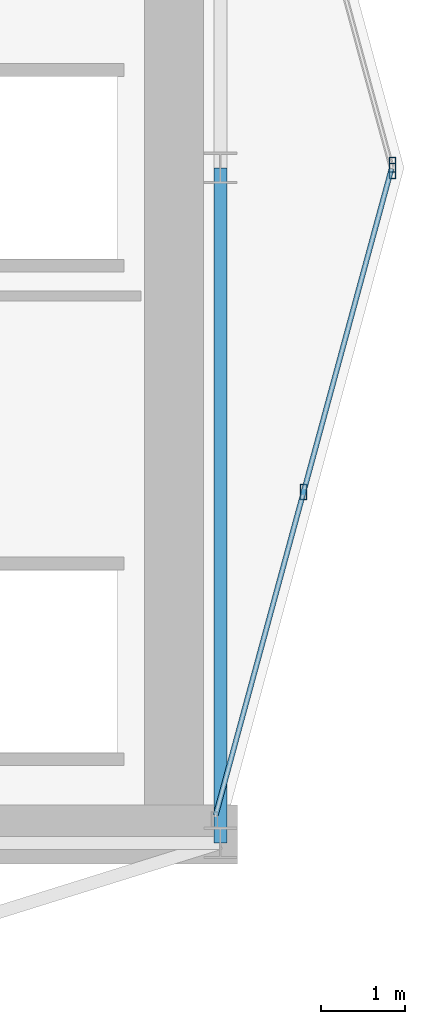
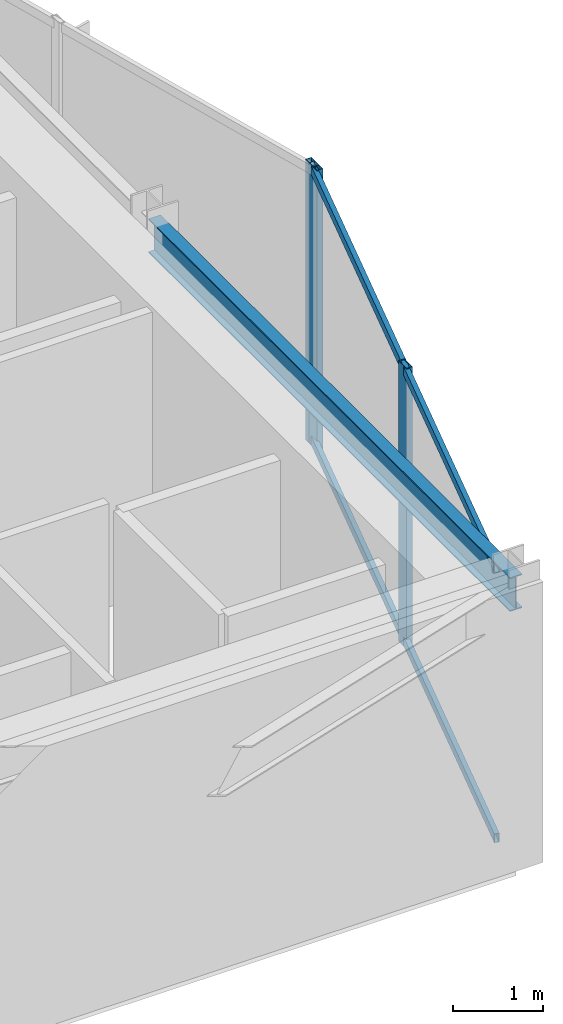
# One storey, part 13 of 20: 5 members, 1 beam, 2 elements without a shape of their own.
"""IFC4 building model written with IfcOpenShell, lengths in metres."""

from ifc_helpers import new_model, si_unit, direction, frame, origin, origin_2d, place, context, subcontext, project, spatial, hollow_rectangle, i_section, extrude, material, layer, layer_set, material_profile, profile_set, type_object, element, aggregate, save


model = new_model("IFC4")

# Units and contexts
model_context = context("Model", 3, precision=1e-05, world=origin(), true_north=direction((0.0, 1.0)))
body_context = subcontext(model_context, "Body", "Model", "MODEL_VIEW")
ifc_project = project(units=[si_unit("LENGTHUNIT", "METRE"), si_unit("AREAUNIT", "SQUARE_METRE"), si_unit("VOLUMEUNIT", "CUBIC_METRE"), si_unit("PLANEANGLEUNIT", "RADIAN"), si_unit("MASSUNIT", "GRAM", prefix="KILO")], contexts=[model_context])

# Site, building, storey
site_placement = place(None, origin())
site = spatial("IfcSite", under=ifc_project, at=site_placement, CompositionType="ELEMENT")
building_placement = place(site_placement, origin())
building = spatial("IfcBuilding", under=site, at=building_placement, Name="Veymaron Broadcast Tower", CompositionType="ELEMENT")
storey_placement = place(building_placement, frame((0.0, 0.0, 248.550048828125)))
storey = spatial("IfcBuildingStorey", under=building, at=storey_placement, Name="L58", CompositionType="ELEMENT", Elevation=248.550048828125)

# Beam
ifc_material_1 = material(Name="Structural steel ASTM A992 Gr 50", Category="steel")
ifc_material_profile_1 = material_profile(ifc_material_1, i_section(OverallWidth=0.154052734375, OverallDepth=0.458984375, WebThickness=0.009033203125, FlangeThickness=0.015380859375, at=origin_2d()), Name="W460X68")
ifc_profile_set_1 = profile_set([ifc_material_profile_1], Name="Structural steel ASTM A992 Gr 50")
beam_type = type_object("IfcBeamType", Name="BM-SP2", PredefinedType="SPANDREL", material=ifc_profile_set_1)
beam_placement = place(storey_placement, frame((54.60009765625, 16.0, 3.560546875), z_axis=(0.0, 1.0, 0.0), x_axis=(-1.0, 0.0, 0.0)))
element("IfcBeam", 1, at=beam_placement, inside=storey, type_object=beam_type, Name="L58 primary structural floor girder", PredefinedType="SPANDREL", context=body_context, shape_type="SweptSolid", body=[
    extrude(i_section(OverallWidth=0.154052734375, OverallDepth=0.458984375, WebThickness=0.009033203125, FlangeThickness=0.015380859375, at=origin_2d()), origin(), (0.0, 0.0, 1.0), 8.0),
])

# Curtain wall, members
ifc_material_2 = material(Name="Anodised aluminium AA 6063-T6 and laminated low-E dark glass", Category="aluminium")
ifc_layer = layer(ifc_material_2, 0.179931640625)
ifc_layer_set = layer_set([ifc_layer], Name="Anodised aluminium AA 6063-T6 and laminated low-E dark glass")
curtain_wall_type = type_object("IfcCurtainWallType", Name="CW-SYS-05", PredefinedType="NOTDEFINED", material=ifc_layer_set)
curtain_wall_1_placement = place(storey_placement, origin())
curtain_wall_1 = element("IfcCurtainWall", 2, at=curtain_wall_1_placement, inside=storey, type_object=curtain_wall_type, Name="L58 dark-glass curtain wall CW-L58-E2-1", PredefinedType="NOTDEFINED")
ifc_material_3 = material(Name="Anodised aluminium AA 6063-T6", Category="aluminium")
ifc_material_profile_2 = material_profile(ifc_material_3, hollow_rectangle(XDim=0.074951171875, YDim=0.179931640625, WallThickness=0.0048828125, at=origin_2d()), Name="AL180X75X5")
ifc_profile_set_2 = profile_set([ifc_material_profile_2], Name="Anodised aluminium AA 6063-T6")
member_type_1 = type_object("IfcMemberType", Name="CW-MUL-02", PredefinedType="MULLION", material=ifc_profile_set_2)
member_1_placement = place(storey_placement, frame((55.585693359375, 20.15771484375, 0.0), z_axis=(0.0, 0.0, 1.0), x_axis=(1.0, 0.0, 0.0)))
member_1 = element("IfcMember", 3, at=member_1_placement, type_object=member_type_1, Name="CW-L58-E2-1 mullion 1", PredefinedType="MULLION", context=body_context, shape_type="SweptSolid", body=[
    extrude(hollow_rectangle(XDim=0.074951171875, YDim=0.179931640625, WallThickness=0.0048828125, at=origin_2d()), origin(), (0.0, 0.0, 1.0), 3.7900390625),
])
member_2_placement = place(storey_placement, frame((56.640380859375, 24.03662109375, 0.0), z_axis=(0.0, 0.0, 1.0), x_axis=(1.0, 0.0, 0.0)))
member_2 = element("IfcMember", 4, at=member_2_placement, type_object=member_type_1, Name="CW-L58-E2-1 mullion 2", PredefinedType="MULLION", context=body_context, shape_type="SweptSolid", body=[
    extrude(hollow_rectangle(XDim=0.074951171875, YDim=0.179931640625, WallThickness=0.0048828125, at=origin_2d()), origin(), (0.0, 0.0, 1.0), 3.7900390625),
])

# Curtain wall, member
curtain_wall_2_placement = place(storey_placement, origin())
curtain_wall_2 = element("IfcCurtainWall", 5, at=curtain_wall_2_placement, inside=storey, type_object=curtain_wall_type, Name="L58 dark-glass curtain wall CW-L58-E3-1", PredefinedType="NOTDEFINED")
member_3_placement = place(storey_placement, frame((56.640380859375, 23.96337890625, 0.0), z_axis=(0.0, 0.0, 1.0), x_axis=(1.0, 0.0, 0.0)))
member_3 = element("IfcMember", 6, at=member_3_placement, type_object=member_type_1, Name="CW-L58-E3-1 mullion 0", PredefinedType="MULLION", context=body_context, shape_type="SweptSolid", body=[
    extrude(hollow_rectangle(XDim=0.074951171875, YDim=0.179931640625, WallThickness=0.0048828125, at=origin_2d()), origin(), (0.0, 0.0, 1.0), 3.7900390625),
])
aggregate(curtain_wall_2, [member_3])

# Member
ifc_material_profile_3 = material_profile(ifc_material_3, hollow_rectangle(XDim=0.06005859375, YDim=0.1201171875, WallThickness=0.00390625, at=origin_2d()), Name="AL120X60X4")
ifc_profile_set_3 = profile_set([ifc_material_profile_3], Name="Anodised aluminium AA 6063-T6")
member_type_2 = type_object("IfcMemberType", Name="CW-TRN-02", PredefinedType="USERDEFINED", material=ifc_profile_set_3)
member_4_placement = place(storey_placement, frame((54.543701171875, 16.326904296875, 0.070068359375), z_axis=(0.262438272271, 0.964948782707, 0.0), x_axis=(-0.964948782707, 0.262438272271, 0.0)))
member_4 = element("IfcMember", 7, at=member_4_placement, type_object=member_type_2, Name="CW-L58-E2-1 transom B", ObjectType="TRANSOM", PredefinedType="USERDEFINED", context=body_context, shape_type="SweptSolid", body=[
    extrude(hollow_rectangle(XDim=0.06005859375, YDim=0.1201171875, WallThickness=0.00390625, at=origin_2d()), origin(), (0.0, 0.0, 1.0), 7.93994140625),
])

member_5_placement = place(storey_placement, frame((54.543701171875, 16.326904296875, 3.719970703125), z_axis=(0.262438272271, 0.964948782707, 0.0), x_axis=(-0.964948782707, 0.262438272271, 0.0)))
member_5 = element("IfcMember", 8, at=member_5_placement, type_object=member_type_2, Name="CW-L58-E2-1 transom T", ObjectType="TRANSOM", PredefinedType="USERDEFINED", context=body_context, shape_type="SweptSolid", body=[
    extrude(hollow_rectangle(XDim=0.06005859375, YDim=0.1201171875, WallThickness=0.00390625, at=origin_2d()), origin(), (0.0, 0.0, 1.0), 7.93994140625),
])

aggregate(curtain_wall_1, [member_1, member_2, member_4, member_5])

save(model, "model.ifc")
